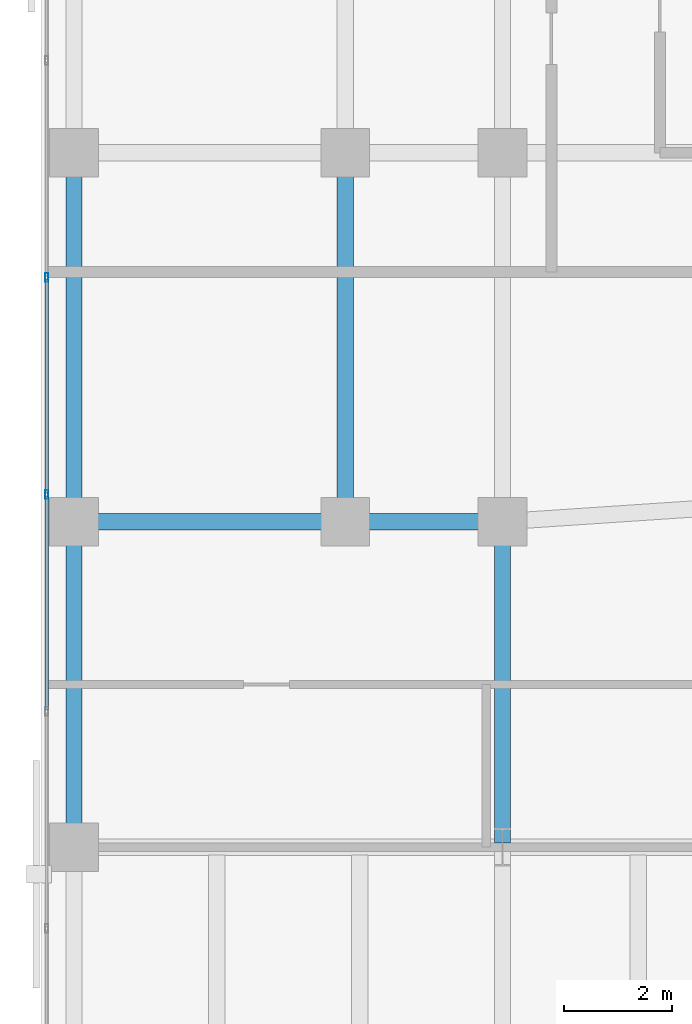
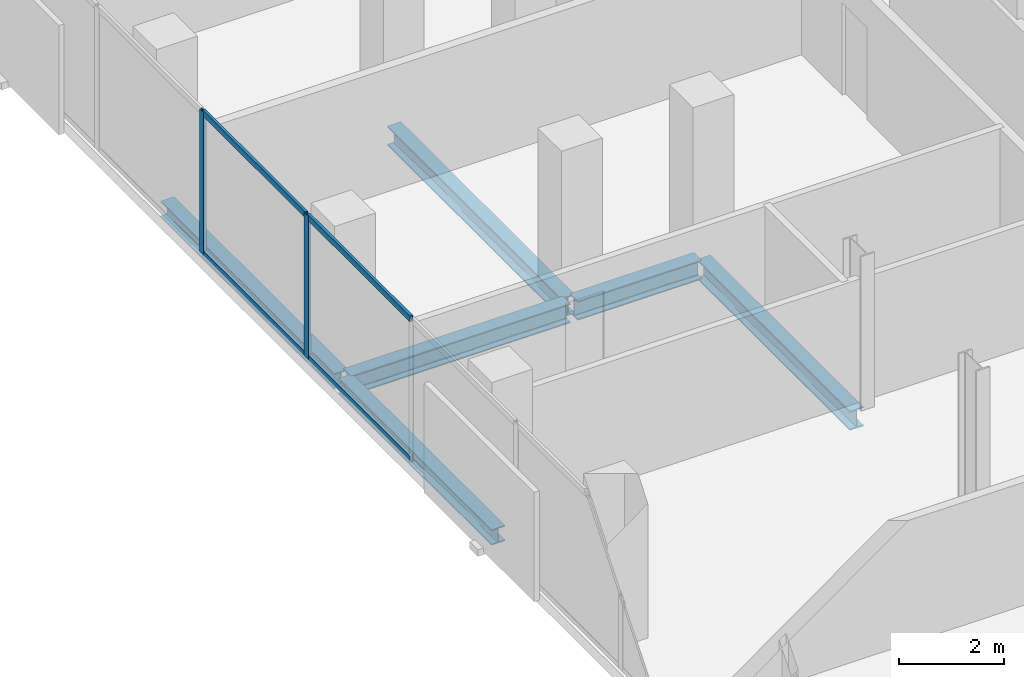
# One storey, part 9 of 33: 6 beams, 6 members, 1 element without a shape of its own.
"""IFC4 building model written with IfcOpenShell, lengths in metres."""

from ifc_helpers import new_model, si_unit, direction, frame, origin, origin_2d, place, context, subcontext, project, spatial, hollow_rectangle, i_section, extrude, material, layer, layer_set, material_profile, profile_set, type_object, element, aggregate, save


model = new_model("IFC4")

# Units and contexts
model_context = context("Model", 3, precision=1e-05, world=origin(), true_north=direction((0.0, 1.0)))
body_context = subcontext(model_context, "Body", "Model", "MODEL_VIEW")
ifc_project = project(units=[si_unit("LENGTHUNIT", "METRE"), si_unit("AREAUNIT", "SQUARE_METRE"), si_unit("VOLUMEUNIT", "CUBIC_METRE"), si_unit("PLANEANGLEUNIT", "RADIAN"), si_unit("MASSUNIT", "GRAM", prefix="KILO")], contexts=[model_context])

# Site, building, storey
site_placement = place(None, origin())
site = spatial("IfcSite", under=ifc_project, at=site_placement, CompositionType="ELEMENT")
building_placement = place(site_placement, origin())
building = spatial("IfcBuilding", under=site, at=building_placement, Name="Catumbela Crestline Tower", CompositionType="ELEMENT")
storey_placement = place(building_placement, frame((0.0, 0.0, 108.0)))
storey = spatial("IfcBuildingStorey", under=building, at=storey_placement, Name="L27", CompositionType="ELEMENT", Elevation=108.0)

# Beams
ifc_material_1 = material(Name="Structural steel S355J2", Category="steel")
ifc_material_profile_1 = material_profile(ifc_material_1, i_section(OverallWidth=0.3, OverallDepth=0.45, WebThickness=0.014, FlangeThickness=0.026, FilletRadius=0.027, at=origin_2d()), Name="HEB 450")
ifc_profile_set_1 = profile_set([ifc_material_profile_1], Name="Structural steel S355J2")
beam_type_1 = type_object("IfcBeamType", Name="BG-HEB450", PredefinedType="BEAM", material=ifc_profile_set_1)
beam_1_placement = place(storey_placement, frame((0.68, 24.0, -0.485), z_axis=(1.0, 0.0, 0.0), x_axis=(0.0, 1.0, 0.0)))
element("IfcBeam", 1, at=beam_1_placement, inside=storey, type_object=beam_type_1, Name="L27 Beam BM-L27-S01", PredefinedType="BEAM", context=body_context, shape_type="SweptSolid", body=[
    extrude(i_section(OverallWidth=0.3, OverallDepth=0.45, WebThickness=0.014, FlangeThickness=0.026, FilletRadius=0.027, at=origin_2d()), origin(), (0.0, 0.0, 1.0), 4.84),
])
beam_2_placement = place(storey_placement, frame((5.68, 24.0, -0.485), z_axis=(1.0, 0.0, 0.0), x_axis=(0.0, 1.0, 0.0)))
element("IfcBeam", 2, at=beam_2_placement, inside=storey, type_object=beam_type_1, Name="L27 Beam BM-L27-S02", PredefinedType="BEAM", context=body_context, shape_type="SweptSolid", body=[
    extrude(i_section(OverallWidth=0.3, OverallDepth=0.45, WebThickness=0.014, FlangeThickness=0.026, FilletRadius=0.027, at=origin_2d()), origin(), (0.0, 0.0, 1.0), 2.74),
])
beam_3_placement = place(storey_placement, frame((5.6, 24.08, -0.485), z_axis=(0.0, 1.0, 0.0), x_axis=(-1.0, 0.0, 0.0)))
element("IfcBeam", 3, at=beam_3_placement, inside=storey, type_object=beam_type_1, Name="L27 Beam BM-L27-SN24", PredefinedType="BEAM", context=body_context, shape_type="SweptSolid", body=[
    extrude(i_section(OverallWidth=0.3, OverallDepth=0.45, WebThickness=0.014, FlangeThickness=0.026, FilletRadius=0.027, at=origin_2d()), origin(), (0.0, 0.0, 1.0), 6.64),
])
beam_4_placement = place(storey_placement, frame((8.5, 18.08, -0.485), z_axis=(0.0, 1.0, 0.0), x_axis=(-1.0, 0.0, 0.0)))
element("IfcBeam", 4, at=beam_4_placement, inside=storey, type_object=beam_type_1, Name="L27 Beam BM-L27-WNS57", PredefinedType="BEAM", context=body_context, shape_type="SweptSolid", body=[
    extrude(i_section(OverallWidth=0.3, OverallDepth=0.45, WebThickness=0.014, FlangeThickness=0.026, FilletRadius=0.027, at=origin_2d()), origin(), (0.0, 0.0, 1.0), 5.84),
])

# Curtain wall, members
ifc_material_2 = material(Name="Aluminium alloy AW-6060-T66", Category="aluminium")
ifc_layer = layer(ifc_material_2, 0.18, Name="Aluminium alloy AW-6060-T66")
ifc_layer_set = layer_set([ifc_layer], Name="Aluminium alloy AW-6060-T66")
curtain_wall_type = type_object("IfcCurtainWallType", Name="CWU-Z2", PredefinedType="USERDEFINED", material=ifc_layer_set)
curtain_wall_placement = place(storey_placement, origin())
curtain_wall = element("IfcCurtainWall", 5, at=curtain_wall_placement, inside=storey, type_object=curtain_wall_type, Name="L27 Unitised Curtain Wall CW-L27-E9S1", ObjectType="UNITISED", PredefinedType="USERDEFINED")
ifc_material_profile_2 = material_profile(ifc_material_2, hollow_rectangle(XDim=0.06, YDim=0.16, WallThickness=0.004, at=origin_2d()), Name="ALU 160x60x4")
ifc_profile_set_2 = profile_set([ifc_material_profile_2], Name="Aluminium alloy AW-6060-T66")
member_type_1 = type_object("IfcMemberType", Name="MUL-160X60", PredefinedType="MULLION", material=ifc_profile_set_2)
member_1_placement = place(storey_placement, frame((0.1, 28.5, 0.0), z_axis=(0.0, 0.0, 1.0), x_axis=(1.0, 0.0, 0.0)))
member_1 = element("IfcMember", 6, at=member_1_placement, type_object=member_type_1, Name="CWU-Z2 mullion 5", PredefinedType="MULLION", context=body_context, shape_type="SweptSolid", body=[
    extrude(hollow_rectangle(XDim=0.06, YDim=0.16, WallThickness=0.004, at=origin_2d()), origin(), (0.0, 0.0, 1.0), 3.33),
])
member_2_placement = place(storey_placement, frame((0.1, 24.5, 0.0), z_axis=(0.0, 0.0, 1.0), x_axis=(1.0, 0.0, 0.0)))
member_2 = element("IfcMember", 7, at=member_2_placement, type_object=member_type_1, Name="CWU-Z2 mullion 6", PredefinedType="MULLION", context=body_context, shape_type="SweptSolid", body=[
    extrude(hollow_rectangle(XDim=0.06, YDim=0.16, WallThickness=0.004, at=origin_2d()), origin(), (0.0, 0.0, 1.0), 3.33),
])

# Beams
ifc_material_profile_3 = material_profile(ifc_material_1, i_section(OverallWidth=0.3, OverallDepth=0.36, WebThickness=0.0125, FlangeThickness=0.0225, FilletRadius=0.027, at=origin_2d()), Name="HEB 360")
ifc_profile_set_3 = profile_set([ifc_material_profile_3], Name="Structural steel S355J2")
beam_type_2 = type_object("IfcBeamType", Name="BS-HEB360", PredefinedType="SPANDREL", material=ifc_profile_set_3)
beam_5_placement = place(storey_placement, frame((0.6, 24.08, -0.44), z_axis=(0.0, 1.0, 0.0), x_axis=(-1.0, 0.0, 0.0)))
element("IfcBeam", 8, at=beam_5_placement, inside=storey, type_object=beam_type_2, Name="L27 Spandrel SP-L27-SN22", PredefinedType="SPANDREL", context=body_context, shape_type="SweptSolid", body=[
    extrude(i_section(OverallWidth=0.3, OverallDepth=0.36, WebThickness=0.0125, FlangeThickness=0.0225, FilletRadius=0.027, at=origin_2d()), origin(), (0.0, 0.0, 1.0), 6.64),
])
beam_6_placement = place(storey_placement, frame((0.6, 18.08, -0.44), z_axis=(0.0, 1.0, 0.0), x_axis=(-1.0, 0.0, 0.0)))
element("IfcBeam", 9, at=beam_6_placement, inside=storey, type_object=beam_type_2, Name="L27 Spandrel SP-L27-WNS54", PredefinedType="SPANDREL", context=body_context, shape_type="SweptSolid", body=[
    extrude(i_section(OverallWidth=0.3, OverallDepth=0.36, WebThickness=0.0125, FlangeThickness=0.0225, FilletRadius=0.027, at=origin_2d()), origin(), (0.0, 0.0, 1.0), 5.84),
])

# Member
ifc_material_profile_4 = material_profile(ifc_material_2, hollow_rectangle(XDim=0.06, YDim=0.14, WallThickness=0.004, at=origin_2d()), Name="ALU 140x60x4")
ifc_profile_set_4 = profile_set([ifc_material_profile_4], Name="Aluminium alloy AW-6060-T66")
member_type_2 = type_object("IfcMemberType", Name="TRN-140X60", PredefinedType="USERDEFINED", material=ifc_profile_set_4)
member_3_placement = place(storey_placement, frame((0.1, 28.4675, 0.03), z_axis=(0.0, -1.0, 0.0), x_axis=(1.0, 0.0, 0.0)))
member_3 = element("IfcMember", 10, at=member_3_placement, type_object=member_type_2, Name="CWU-Z2 transom 5.1", ObjectType="TRANSOM", PredefinedType="USERDEFINED", context=body_context, shape_type="SweptSolid", body=[
    extrude(hollow_rectangle(XDim=0.06, YDim=0.14, WallThickness=0.004, at=origin_2d()), origin(), (0.0, 0.0, 1.0), 3.935),
])

member_4_placement = place(storey_placement, frame((0.1, 28.4675, 3.3), z_axis=(0.0, -1.0, 0.0), x_axis=(1.0, 0.0, 0.0)))
member_4 = element("IfcMember", 11, at=member_4_placement, type_object=member_type_2, Name="CWU-Z2 transom 5.2", ObjectType="TRANSOM", PredefinedType="USERDEFINED", context=body_context, shape_type="SweptSolid", body=[
    extrude(hollow_rectangle(XDim=0.06, YDim=0.14, WallThickness=0.004, at=origin_2d()), origin(), (0.0, 0.0, 1.0), 3.935),
])

member_5_placement = place(storey_placement, frame((0.1, 24.4675, 0.03), z_axis=(0.0, -1.0, 0.0), x_axis=(1.0, 0.0, 0.0)))
member_5 = element("IfcMember", 12, at=member_5_placement, type_object=member_type_2, Name="CWU-Z2 transom 6.1", ObjectType="TRANSOM", PredefinedType="USERDEFINED", context=body_context, shape_type="SweptSolid", body=[
    extrude(hollow_rectangle(XDim=0.06, YDim=0.14, WallThickness=0.004, at=origin_2d()), origin(), (0.0, 0.0, 1.0), 3.935),
])

member_6_placement = place(storey_placement, frame((0.1, 24.4675, 3.3), z_axis=(0.0, -1.0, 0.0), x_axis=(1.0, 0.0, 0.0)))
member_6 = element("IfcMember", 13, at=member_6_placement, type_object=member_type_2, Name="CWU-Z2 transom 6.2", ObjectType="TRANSOM", PredefinedType="USERDEFINED", context=body_context, shape_type="SweptSolid", body=[
    extrude(hollow_rectangle(XDim=0.06, YDim=0.14, WallThickness=0.004, at=origin_2d()), origin(), (0.0, 0.0, 1.0), 3.935),
])

aggregate(curtain_wall, [member_1, member_2, member_3, member_4, member_5, member_6])

save(model, "model.ifc")
